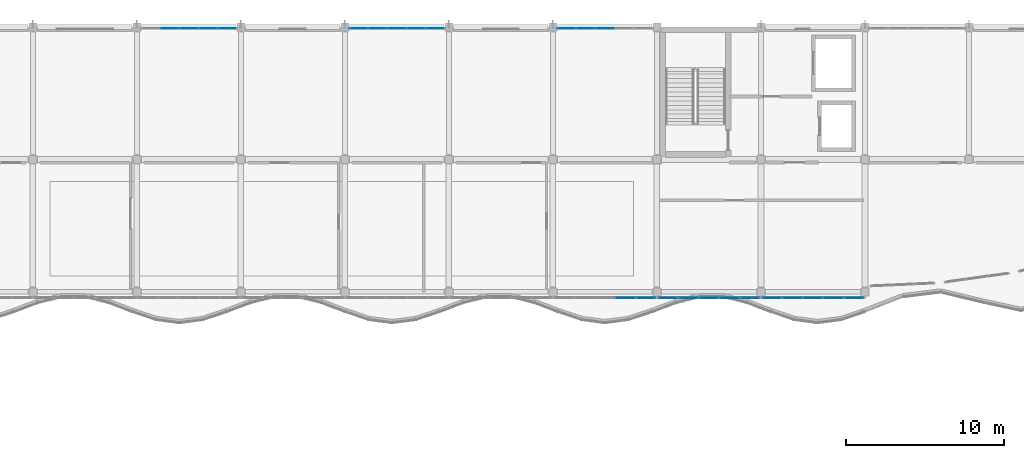
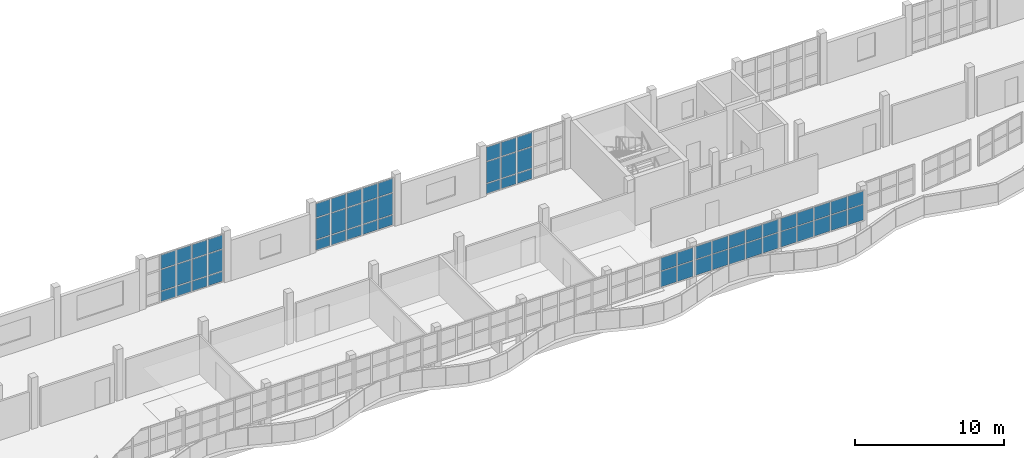
# One storey, part 47 of 78: 60 plates, 6 elements without a shape of their own.
"""IFC4 building model written with IfcOpenShell, lengths in metres."""

from ifc_helpers import new_model, si_unit, direction, frame, origin, origin_2d, place, context, subcontext, project, spatial, rectangle, extrude, material, layer, layer_set, type_object, element, aggregate, save


model = new_model("IFC4")

# Units and contexts
model_context = context("Model", 3, precision=1e-05, world=origin(), true_north=direction((0.0, 1.0)))
body_context = subcontext(model_context, "Body", "Model", "MODEL_VIEW")
ifc_project = project(units=[si_unit("LENGTHUNIT", "METRE"), si_unit("AREAUNIT", "SQUARE_METRE"), si_unit("VOLUMEUNIT", "CUBIC_METRE"), si_unit("PLANEANGLEUNIT", "RADIAN"), si_unit("MASSUNIT", "GRAM", prefix="KILO")], contexts=[model_context])

# Site, building, storey
site_placement = place(None, origin())
site = spatial("IfcSite", under=ifc_project, at=site_placement, CompositionType="ELEMENT")
building_placement = place(site_placement, origin())
building = spatial("IfcBuilding", under=site, at=building_placement, Name="Qaldarim Faculty of Natural and Applied Sciences", CompositionType="ELEMENT")
storey_placement = place(building_placement, frame((0.0, 0.0, 18.60009765625)))
storey = spatial("IfcBuildingStorey", under=building, at=storey_placement, Name="L04", CompositionType="ELEMENT", Elevation=18.60009765625)

# Curtain wall, plates
ifc_material_1 = material(Name="Anodised aluminium AW-6063", Category="aluminium")
curtain_wall_type_1 = type_object("IfcCurtainWallType", Name="CurtainWallSystem-M1200", PredefinedType="USERDEFINED", material=ifc_material_1)
curtain_wall_1_placement = place(storey_placement, origin())
curtain_wall_1 = element("IfcCurtainWall", 1, at=curtain_wall_1_placement, inside=storey, type_object=curtain_wall_type_1, Name="Curtain wall CW-L04-N-X11Y14", ObjectType="STICK CURTAIN WALL", PredefinedType="USERDEFINED")
ifc_material_2 = material(Name="Insulated low-e double glazing", Category="glass")
ifc_layer_1 = layer(ifc_material_2, 0.031982421875)
ifc_layer_set_1 = layer_set([ifc_layer_1], Name="Insulated low-e double glazing")
plate_type_1 = type_object("IfcPlateType", Name="SolarControlGlazingPanel-32", PredefinedType="CURTAIN_PANEL", material=ifc_layer_set_1)
plate_1_placement = place(storey_placement, frame((71.7265625, 117.52001953125, 0.06982421875), z_axis=(0.0, 0.0, 1.0), x_axis=(-1.0, 0.0, 0.0)))
plate_1 = element("IfcPlate", 2, at=plate_1_placement, type_object=plate_type_1, Name="Glazed panel 1-1 of CW-L04-N-X11Y14", PredefinedType="CURTAIN_PANEL", context=body_context, shape_type="SweptSolid", body=[
    extrude(rectangle(XDim=1.116943359375, YDim=0.031982421875, at=origin_2d()), origin(), (0.0, 0.0, 1.0), 0.794921875),
])
plate_2_placement = place(storey_placement, frame((71.7265625, 117.52001953125, 0.934814453125), z_axis=(0.0, 0.0, 1.0), x_axis=(-1.0, 0.0, 0.0)))
plate_2 = element("IfcPlate", 3, at=plate_2_placement, type_object=plate_type_1, Name="Glazed panel 1-2 of CW-L04-N-X11Y14", PredefinedType="CURTAIN_PANEL", context=body_context, shape_type="SweptSolid", body=[
    extrude(rectangle(XDim=1.116943359375, YDim=0.031982421875, at=origin_2d()), origin(), (0.0, 0.0, 1.0), 1.72998046875),
])
plate_3_placement = place(storey_placement, frame((71.7265625, 117.52001953125, 2.73486328125), z_axis=(0.0, 0.0, 1.0), x_axis=(-1.0, 0.0, 0.0)))
plate_3 = element("IfcPlate", 4, at=plate_3_placement, type_object=plate_type_1, Name="Glazed panel 1-3 of CW-L04-N-X11Y14", PredefinedType="CURTAIN_PANEL", context=body_context, shape_type="SweptSolid", body=[
    extrude(rectangle(XDim=1.116943359375, YDim=0.031982421875, at=origin_2d()), origin(), (0.0, 0.0, 1.0), 1.135009765625),
])
plate_4_placement = place(storey_placement, frame((70.52197265625, 117.52001953125, 0.06982421875), z_axis=(0.0, 0.0, 1.0), x_axis=(-1.0, 0.0, 0.0)))
plate_4 = element("IfcPlate", 5, at=plate_4_placement, type_object=plate_type_1, Name="Glazed panel 2-1 of CW-L04-N-X11Y14", PredefinedType="CURTAIN_PANEL", context=body_context, shape_type="SweptSolid", body=[
    extrude(rectangle(XDim=1.152099609375, YDim=0.031982421875, at=origin_2d()), origin(), (0.0, 0.0, 1.0), 0.794921875),
])
plate_5_placement = place(storey_placement, frame((70.52197265625, 117.52001953125, 0.934814453125), z_axis=(0.0, 0.0, 1.0), x_axis=(-1.0, 0.0, 0.0)))
plate_5 = element("IfcPlate", 6, at=plate_5_placement, type_object=plate_type_1, Name="Glazed panel 2-2 of CW-L04-N-X11Y14", PredefinedType="CURTAIN_PANEL", context=body_context, shape_type="SweptSolid", body=[
    extrude(rectangle(XDim=1.152099609375, YDim=0.031982421875, at=origin_2d()), origin(), (0.0, 0.0, 1.0), 1.72998046875),
])
plate_6_placement = place(storey_placement, frame((70.52197265625, 117.52001953125, 2.73486328125), z_axis=(0.0, 0.0, 1.0), x_axis=(-1.0, 0.0, 0.0)))
plate_6 = element("IfcPlate", 7, at=plate_6_placement, type_object=plate_type_1, Name="Glazed panel 2-3 of CW-L04-N-X11Y14", PredefinedType="CURTAIN_PANEL", context=body_context, shape_type="SweptSolid", body=[
    extrude(rectangle(XDim=1.152099609375, YDim=0.031982421875, at=origin_2d()), origin(), (0.0, 0.0, 1.0), 1.135009765625),
])
plate_7_placement = place(storey_placement, frame((69.300048828125, 117.52001953125, 0.06982421875), z_axis=(0.0, 0.0, 1.0), x_axis=(-1.0, 0.0, 0.0)))
plate_7 = element("IfcPlate", 8, at=plate_7_placement, type_object=plate_type_1, Name="Glazed panel 3-1 of CW-L04-N-X11Y14", PredefinedType="CURTAIN_PANEL", context=body_context, shape_type="SweptSolid", body=[
    extrude(rectangle(XDim=1.152099609375, YDim=0.031982421875, at=origin_2d()), origin(), (0.0, 0.0, 1.0), 0.794921875),
])
plate_8_placement = place(storey_placement, frame((69.300048828125, 117.52001953125, 0.934814453125), z_axis=(0.0, 0.0, 1.0), x_axis=(-1.0, 0.0, 0.0)))
plate_8 = element("IfcPlate", 9, at=plate_8_placement, type_object=plate_type_1, Name="Glazed panel 3-2 of CW-L04-N-X11Y14", PredefinedType="CURTAIN_PANEL", context=body_context, shape_type="SweptSolid", body=[
    extrude(rectangle(XDim=1.152099609375, YDim=0.031982421875, at=origin_2d()), origin(), (0.0, 0.0, 1.0), 1.72998046875),
])
plate_9_placement = place(storey_placement, frame((69.300048828125, 117.52001953125, 2.73486328125), z_axis=(0.0, 0.0, 1.0), x_axis=(-1.0, 0.0, 0.0)))
plate_9 = element("IfcPlate", 10, at=plate_9_placement, type_object=plate_type_1, Name="Glazed panel 3-3 of CW-L04-N-X11Y14", PredefinedType="CURTAIN_PANEL", context=body_context, shape_type="SweptSolid", body=[
    extrude(rectangle(XDim=1.152099609375, YDim=0.031982421875, at=origin_2d()), origin(), (0.0, 0.0, 1.0), 1.135009765625),
])
plate_10_placement = place(storey_placement, frame((68.077880859375, 117.52001953125, 0.06982421875), z_axis=(0.0, 0.0, 1.0), x_axis=(-1.0, 0.0, 0.0)))
plate_10 = element("IfcPlate", 11, at=plate_10_placement, type_object=plate_type_1, Name="Glazed panel 4-1 of CW-L04-N-X11Y14", PredefinedType="CURTAIN_PANEL", context=body_context, shape_type="SweptSolid", body=[
    extrude(rectangle(XDim=1.152099609375, YDim=0.031982421875, at=origin_2d()), origin(), (0.0, 0.0, 1.0), 0.794921875),
])
plate_11_placement = place(storey_placement, frame((68.077880859375, 117.52001953125, 0.934814453125), z_axis=(0.0, 0.0, 1.0), x_axis=(-1.0, 0.0, 0.0)))
plate_11 = element("IfcPlate", 12, at=plate_11_placement, type_object=plate_type_1, Name="Glazed panel 4-2 of CW-L04-N-X11Y14", PredefinedType="CURTAIN_PANEL", context=body_context, shape_type="SweptSolid", body=[
    extrude(rectangle(XDim=1.152099609375, YDim=0.031982421875, at=origin_2d()), origin(), (0.0, 0.0, 1.0), 1.72998046875),
])
plate_12_placement = place(storey_placement, frame((68.077880859375, 117.52001953125, 2.73486328125), z_axis=(0.0, 0.0, 1.0), x_axis=(-1.0, 0.0, 0.0)))
plate_12 = element("IfcPlate", 13, at=plate_12_placement, type_object=plate_type_1, Name="Glazed panel 4-3 of CW-L04-N-X11Y14", PredefinedType="CURTAIN_PANEL", context=body_context, shape_type="SweptSolid", body=[
    extrude(rectangle(XDim=1.152099609375, YDim=0.031982421875, at=origin_2d()), origin(), (0.0, 0.0, 1.0), 1.135009765625),
])
aggregate(curtain_wall_1, [plate_1, plate_2, plate_3, plate_4, plate_5, plate_6, plate_7, plate_8, plate_9, plate_10, plate_11, plate_12])

curtain_wall_2_placement = place(storey_placement, origin())
curtain_wall_2 = element("IfcCurtainWall", 14, at=curtain_wall_2_placement, inside=storey, type_object=curtain_wall_type_1, Name="Curtain wall CW-L04-N-X13Y14", ObjectType="STICK CURTAIN WALL", PredefinedType="USERDEFINED")
plate_13_placement = place(storey_placement, frame((84.926513671875, 117.52001953125, 0.06982421875), z_axis=(0.0, 0.0, 1.0), x_axis=(-1.0, 0.0, 0.0)))
plate_13 = element("IfcPlate", 15, at=plate_13_placement, type_object=plate_type_1, Name="Glazed panel 1-1 of CW-L04-N-X13Y14", PredefinedType="CURTAIN_PANEL", context=body_context, shape_type="SweptSolid", body=[
    extrude(rectangle(XDim=1.116943359375, YDim=0.031982421875, at=origin_2d()), origin(), (0.0, 0.0, 1.0), 0.794921875),
])
plate_14_placement = place(storey_placement, frame((84.926513671875, 117.52001953125, 0.934814453125), z_axis=(0.0, 0.0, 1.0), x_axis=(-1.0, 0.0, 0.0)))
plate_14 = element("IfcPlate", 16, at=plate_14_placement, type_object=plate_type_1, Name="Glazed panel 1-2 of CW-L04-N-X13Y14", PredefinedType="CURTAIN_PANEL", context=body_context, shape_type="SweptSolid", body=[
    extrude(rectangle(XDim=1.116943359375, YDim=0.031982421875, at=origin_2d()), origin(), (0.0, 0.0, 1.0), 1.72998046875),
])
plate_15_placement = place(storey_placement, frame((84.926513671875, 117.52001953125, 2.73486328125), z_axis=(0.0, 0.0, 1.0), x_axis=(-1.0, 0.0, 0.0)))
plate_15 = element("IfcPlate", 17, at=plate_15_placement, type_object=plate_type_1, Name="Glazed panel 1-3 of CW-L04-N-X13Y14", PredefinedType="CURTAIN_PANEL", context=body_context, shape_type="SweptSolid", body=[
    extrude(rectangle(XDim=1.116943359375, YDim=0.031982421875, at=origin_2d()), origin(), (0.0, 0.0, 1.0), 1.135009765625),
])
plate_16_placement = place(storey_placement, frame((83.721923828125, 117.52001953125, 0.06982421875), z_axis=(0.0, 0.0, 1.0), x_axis=(-1.0, 0.0, 0.0)))
plate_16 = element("IfcPlate", 18, at=plate_16_placement, type_object=plate_type_1, Name="Glazed panel 2-1 of CW-L04-N-X13Y14", PredefinedType="CURTAIN_PANEL", context=body_context, shape_type="SweptSolid", body=[
    extrude(rectangle(XDim=1.152099609375, YDim=0.031982421875, at=origin_2d()), origin(), (0.0, 0.0, 1.0), 0.794921875),
])
plate_17_placement = place(storey_placement, frame((83.721923828125, 117.52001953125, 0.934814453125), z_axis=(0.0, 0.0, 1.0), x_axis=(-1.0, 0.0, 0.0)))
plate_17 = element("IfcPlate", 19, at=plate_17_placement, type_object=plate_type_1, Name="Glazed panel 2-2 of CW-L04-N-X13Y14", PredefinedType="CURTAIN_PANEL", context=body_context, shape_type="SweptSolid", body=[
    extrude(rectangle(XDim=1.152099609375, YDim=0.031982421875, at=origin_2d()), origin(), (0.0, 0.0, 1.0), 1.72998046875),
])
plate_18_placement = place(storey_placement, frame((83.721923828125, 117.52001953125, 2.73486328125), z_axis=(0.0, 0.0, 1.0), x_axis=(-1.0, 0.0, 0.0)))
plate_18 = element("IfcPlate", 20, at=plate_18_placement, type_object=plate_type_1, Name="Glazed panel 2-3 of CW-L04-N-X13Y14", PredefinedType="CURTAIN_PANEL", context=body_context, shape_type="SweptSolid", body=[
    extrude(rectangle(XDim=1.152099609375, YDim=0.031982421875, at=origin_2d()), origin(), (0.0, 0.0, 1.0), 1.135009765625),
])
plate_19_placement = place(storey_placement, frame((82.5, 117.52001953125, 0.06982421875), z_axis=(0.0, 0.0, 1.0), x_axis=(-1.0, 0.0, 0.0)))
plate_19 = element("IfcPlate", 21, at=plate_19_placement, type_object=plate_type_1, Name="Glazed panel 3-1 of CW-L04-N-X13Y14", PredefinedType="CURTAIN_PANEL", context=body_context, shape_type="SweptSolid", body=[
    extrude(rectangle(XDim=1.152099609375, YDim=0.031982421875, at=origin_2d()), origin(), (0.0, 0.0, 1.0), 0.794921875),
])
plate_20_placement = place(storey_placement, frame((82.5, 117.52001953125, 0.934814453125), z_axis=(0.0, 0.0, 1.0), x_axis=(-1.0, 0.0, 0.0)))
plate_20 = element("IfcPlate", 22, at=plate_20_placement, type_object=plate_type_1, Name="Glazed panel 3-2 of CW-L04-N-X13Y14", PredefinedType="CURTAIN_PANEL", context=body_context, shape_type="SweptSolid", body=[
    extrude(rectangle(XDim=1.152099609375, YDim=0.031982421875, at=origin_2d()), origin(), (0.0, 0.0, 1.0), 1.72998046875),
])
plate_21_placement = place(storey_placement, frame((82.5, 117.52001953125, 2.73486328125), z_axis=(0.0, 0.0, 1.0), x_axis=(-1.0, 0.0, 0.0)))
plate_21 = element("IfcPlate", 23, at=plate_21_placement, type_object=plate_type_1, Name="Glazed panel 3-3 of CW-L04-N-X13Y14", PredefinedType="CURTAIN_PANEL", context=body_context, shape_type="SweptSolid", body=[
    extrude(rectangle(XDim=1.152099609375, YDim=0.031982421875, at=origin_2d()), origin(), (0.0, 0.0, 1.0), 1.135009765625),
])
plate_22_placement = place(storey_placement, frame((81.278076171875, 117.52001953125, 0.06982421875), z_axis=(0.0, 0.0, 1.0), x_axis=(-1.0, 0.0, 0.0)))
plate_22 = element("IfcPlate", 24, at=plate_22_placement, type_object=plate_type_1, Name="Glazed panel 4-1 of CW-L04-N-X13Y14", PredefinedType="CURTAIN_PANEL", context=body_context, shape_type="SweptSolid", body=[
    extrude(rectangle(XDim=1.152099609375, YDim=0.031982421875, at=origin_2d()), origin(), (0.0, 0.0, 1.0), 0.794921875),
])
plate_23_placement = place(storey_placement, frame((81.278076171875, 117.52001953125, 0.934814453125), z_axis=(0.0, 0.0, 1.0), x_axis=(-1.0, 0.0, 0.0)))
plate_23 = element("IfcPlate", 25, at=plate_23_placement, type_object=plate_type_1, Name="Glazed panel 4-2 of CW-L04-N-X13Y14", PredefinedType="CURTAIN_PANEL", context=body_context, shape_type="SweptSolid", body=[
    extrude(rectangle(XDim=1.152099609375, YDim=0.031982421875, at=origin_2d()), origin(), (0.0, 0.0, 1.0), 1.72998046875),
])
plate_24_placement = place(storey_placement, frame((81.278076171875, 117.52001953125, 2.73486328125), z_axis=(0.0, 0.0, 1.0), x_axis=(-1.0, 0.0, 0.0)))
plate_24 = element("IfcPlate", 26, at=plate_24_placement, type_object=plate_type_1, Name="Glazed panel 4-3 of CW-L04-N-X13Y14", PredefinedType="CURTAIN_PANEL", context=body_context, shape_type="SweptSolid", body=[
    extrude(rectangle(XDim=1.152099609375, YDim=0.031982421875, at=origin_2d()), origin(), (0.0, 0.0, 1.0), 1.135009765625),
])
plate_25_placement = place(storey_placement, frame((80.073486328125, 117.52001953125, 0.06982421875), z_axis=(0.0, 0.0, 1.0), x_axis=(-1.0, 0.0, 0.0)))
plate_25 = element("IfcPlate", 27, at=plate_25_placement, type_object=plate_type_1, Name="Glazed panel 5-1 of CW-L04-N-X13Y14", PredefinedType="CURTAIN_PANEL", context=body_context, shape_type="SweptSolid", body=[
    extrude(rectangle(XDim=1.116943359375, YDim=0.031982421875, at=origin_2d()), origin(), (0.0, 0.0, 1.0), 0.794921875),
])
plate_26_placement = place(storey_placement, frame((80.073486328125, 117.52001953125, 0.934814453125), z_axis=(0.0, 0.0, 1.0), x_axis=(-1.0, 0.0, 0.0)))
plate_26 = element("IfcPlate", 28, at=plate_26_placement, type_object=plate_type_1, Name="Glazed panel 5-2 of CW-L04-N-X13Y14", PredefinedType="CURTAIN_PANEL", context=body_context, shape_type="SweptSolid", body=[
    extrude(rectangle(XDim=1.116943359375, YDim=0.031982421875, at=origin_2d()), origin(), (0.0, 0.0, 1.0), 1.72998046875),
])
plate_27_placement = place(storey_placement, frame((80.073486328125, 117.52001953125, 2.73486328125), z_axis=(0.0, 0.0, 1.0), x_axis=(-1.0, 0.0, 0.0)))
plate_27 = element("IfcPlate", 29, at=plate_27_placement, type_object=plate_type_1, Name="Glazed panel 5-3 of CW-L04-N-X13Y14", PredefinedType="CURTAIN_PANEL", context=body_context, shape_type="SweptSolid", body=[
    extrude(rectangle(XDim=1.116943359375, YDim=0.031982421875, at=origin_2d()), origin(), (0.0, 0.0, 1.0), 1.135009765625),
])
aggregate(curtain_wall_2, [plate_13, plate_14, plate_15, plate_16, plate_17, plate_18, plate_19, plate_20, plate_21, plate_22, plate_23, plate_24, plate_25, plate_26, plate_27])

curtain_wall_3_placement = place(storey_placement, origin())
curtain_wall_3 = element("IfcCurtainWall", 30, at=curtain_wall_3_placement, inside=storey, type_object=curtain_wall_type_1, Name="Curtain wall CW-L04-N-X15Y14", ObjectType="STICK CURTAIN WALL", PredefinedType="USERDEFINED")
plate_28_placement = place(storey_placement, frame((95.699951171875, 117.52001953125, 0.06982421875), z_axis=(0.0, 0.0, 1.0), x_axis=(-1.0, 0.0, 0.0)))
plate_28 = element("IfcPlate", 31, at=plate_28_placement, type_object=plate_type_1, Name="Glazed panel 3-1 of CW-L04-N-X15Y14", PredefinedType="CURTAIN_PANEL", context=body_context, shape_type="SweptSolid", body=[
    extrude(rectangle(XDim=1.152099609375, YDim=0.031982421875, at=origin_2d()), origin(), (0.0, 0.0, 1.0), 0.794921875),
])
plate_29_placement = place(storey_placement, frame((95.699951171875, 117.52001953125, 0.934814453125), z_axis=(0.0, 0.0, 1.0), x_axis=(-1.0, 0.0, 0.0)))
plate_29 = element("IfcPlate", 32, at=plate_29_placement, type_object=plate_type_1, Name="Glazed panel 3-2 of CW-L04-N-X15Y14", PredefinedType="CURTAIN_PANEL", context=body_context, shape_type="SweptSolid", body=[
    extrude(rectangle(XDim=1.152099609375, YDim=0.031982421875, at=origin_2d()), origin(), (0.0, 0.0, 1.0), 1.72998046875),
])
plate_30_placement = place(storey_placement, frame((95.699951171875, 117.52001953125, 2.73486328125), z_axis=(0.0, 0.0, 1.0), x_axis=(-1.0, 0.0, 0.0)))
plate_30 = element("IfcPlate", 33, at=plate_30_placement, type_object=plate_type_1, Name="Glazed panel 3-3 of CW-L04-N-X15Y14", PredefinedType="CURTAIN_PANEL", context=body_context, shape_type="SweptSolid", body=[
    extrude(rectangle(XDim=1.152099609375, YDim=0.031982421875, at=origin_2d()), origin(), (0.0, 0.0, 1.0), 1.135009765625),
])
plate_31_placement = place(storey_placement, frame((94.47802734375, 117.52001953125, 0.06982421875), z_axis=(0.0, 0.0, 1.0), x_axis=(-1.0, 0.0, 0.0)))
plate_31 = element("IfcPlate", 34, at=plate_31_placement, type_object=plate_type_1, Name="Glazed panel 4-1 of CW-L04-N-X15Y14", PredefinedType="CURTAIN_PANEL", context=body_context, shape_type="SweptSolid", body=[
    extrude(rectangle(XDim=1.152099609375, YDim=0.031982421875, at=origin_2d()), origin(), (0.0, 0.0, 1.0), 0.794921875),
])
plate_32_placement = place(storey_placement, frame((94.47802734375, 117.52001953125, 0.934814453125), z_axis=(0.0, 0.0, 1.0), x_axis=(-1.0, 0.0, 0.0)))
plate_32 = element("IfcPlate", 35, at=plate_32_placement, type_object=plate_type_1, Name="Glazed panel 4-2 of CW-L04-N-X15Y14", PredefinedType="CURTAIN_PANEL", context=body_context, shape_type="SweptSolid", body=[
    extrude(rectangle(XDim=1.152099609375, YDim=0.031982421875, at=origin_2d()), origin(), (0.0, 0.0, 1.0), 1.72998046875),
])
plate_33_placement = place(storey_placement, frame((94.47802734375, 117.52001953125, 2.73486328125), z_axis=(0.0, 0.0, 1.0), x_axis=(-1.0, 0.0, 0.0)))
plate_33 = element("IfcPlate", 36, at=plate_33_placement, type_object=plate_type_1, Name="Glazed panel 4-3 of CW-L04-N-X15Y14", PredefinedType="CURTAIN_PANEL", context=body_context, shape_type="SweptSolid", body=[
    extrude(rectangle(XDim=1.152099609375, YDim=0.031982421875, at=origin_2d()), origin(), (0.0, 0.0, 1.0), 1.135009765625),
])
plate_34_placement = place(storey_placement, frame((93.2734375, 117.52001953125, 0.06982421875), z_axis=(0.0, 0.0, 1.0), x_axis=(-1.0, 0.0, 0.0)))
plate_34 = element("IfcPlate", 37, at=plate_34_placement, type_object=plate_type_1, Name="Glazed panel 5-1 of CW-L04-N-X15Y14", PredefinedType="CURTAIN_PANEL", context=body_context, shape_type="SweptSolid", body=[
    extrude(rectangle(XDim=1.116943359375, YDim=0.031982421875, at=origin_2d()), origin(), (0.0, 0.0, 1.0), 0.794921875),
])
plate_35_placement = place(storey_placement, frame((93.2734375, 117.52001953125, 0.934814453125), z_axis=(0.0, 0.0, 1.0), x_axis=(-1.0, 0.0, 0.0)))
plate_35 = element("IfcPlate", 38, at=plate_35_placement, type_object=plate_type_1, Name="Glazed panel 5-2 of CW-L04-N-X15Y14", PredefinedType="CURTAIN_PANEL", context=body_context, shape_type="SweptSolid", body=[
    extrude(rectangle(XDim=1.116943359375, YDim=0.031982421875, at=origin_2d()), origin(), (0.0, 0.0, 1.0), 1.72998046875),
])
plate_36_placement = place(storey_placement, frame((93.2734375, 117.52001953125, 2.73486328125), z_axis=(0.0, 0.0, 1.0), x_axis=(-1.0, 0.0, 0.0)))
plate_36 = element("IfcPlate", 39, at=plate_36_placement, type_object=plate_type_1, Name="Glazed panel 5-3 of CW-L04-N-X15Y14", PredefinedType="CURTAIN_PANEL", context=body_context, shape_type="SweptSolid", body=[
    extrude(rectangle(XDim=1.116943359375, YDim=0.031982421875, at=origin_2d()), origin(), (0.0, 0.0, 1.0), 1.135009765625),
])
aggregate(curtain_wall_3, [plate_28, plate_29, plate_30, plate_31, plate_32, plate_33, plate_34, plate_35, plate_36])

curtain_wall_type_2 = type_object("IfcCurtainWallType", Name="CurtainWallSystem-M1400", PredefinedType="USERDEFINED", material=ifc_material_1)
curtain_wall_4_placement = place(storey_placement, origin())
curtain_wall_4 = element("IfcCurtainWall", 40, at=curtain_wall_4_placement, inside=storey, type_object=curtain_wall_type_2, Name="Curtain wall CW-V4RIB-L04-X15", ObjectType="STICK CURTAIN WALL", PredefinedType="USERDEFINED")
ifc_layer_2 = layer(ifc_material_2, 0.028076171875)
ifc_layer_set_2 = layer_set([ifc_layer_2], Name="Insulated low-e double glazing")
plate_type_2 = type_object("IfcPlateType", Name="VisionGlazingPanel-28", PredefinedType="CURTAIN_PANEL", material=ifc_layer_set_2)
plate_37_placement = place(storey_placement, frame((97.00390625, 100.419921875, 1.509765625), z_axis=(0.0, 0.0, 1.0), x_axis=(1.0, 0.0, 0.0)))
plate_37 = element("IfcPlate", 41, at=plate_37_placement, type_object=plate_type_2, Name="Glazed panel 4-1 of CW-V4RIB-L04-X15", PredefinedType="CURTAIN_PANEL", context=body_context, shape_type="SweptSolid", body=[
    extrude(rectangle(XDim=1.243896484375, YDim=0.028076171875, at=origin_2d()), origin(), (0.0, 0.0, 1.0), 1.260009765625),
])
plate_38_placement = place(storey_placement, frame((97.00390625, 100.419921875, 2.830078125), z_axis=(0.0, 0.0, 1.0), x_axis=(1.0, 0.0, 0.0)))
plate_38 = element("IfcPlate", 42, at=plate_38_placement, type_object=plate_type_2, Name="Glazed panel 4-2 of CW-V4RIB-L04-X15", PredefinedType="CURTAIN_PANEL", context=body_context, shape_type="SweptSolid", body=[
    extrude(rectangle(XDim=1.243896484375, YDim=0.028076171875, at=origin_2d()), origin(), (0.0, 0.0, 1.0), 1.050048828125),
])
plate_39_placement = place(storey_placement, frame((98.29296875, 100.419921875, 1.509765625), z_axis=(0.0, 0.0, 1.0), x_axis=(1.0, 0.0, 0.0)))
plate_39 = element("IfcPlate", 43, at=plate_39_placement, type_object=plate_type_2, Name="Glazed panel 5-1 of CW-V4RIB-L04-X15", PredefinedType="CURTAIN_PANEL", context=body_context, shape_type="SweptSolid", body=[
    extrude(rectangle(XDim=1.214111328125, YDim=0.028076171875, at=origin_2d()), origin(), (0.0, 0.0, 1.0), 1.260009765625),
])
plate_40_placement = place(storey_placement, frame((98.29296875, 100.419921875, 2.830078125), z_axis=(0.0, 0.0, 1.0), x_axis=(1.0, 0.0, 0.0)))
plate_40 = element("IfcPlate", 44, at=plate_40_placement, type_object=plate_type_2, Name="Glazed panel 5-2 of CW-V4RIB-L04-X15", PredefinedType="CURTAIN_PANEL", context=body_context, shape_type="SweptSolid", body=[
    extrude(rectangle(XDim=1.214111328125, YDim=0.028076171875, at=origin_2d()), origin(), (0.0, 0.0, 1.0), 1.050048828125),
])
aggregate(curtain_wall_4, [plate_37, plate_38, plate_39, plate_40])

curtain_wall_5_placement = place(storey_placement, origin())
curtain_wall_5 = element("IfcCurtainWall", 45, at=curtain_wall_5_placement, inside=storey, type_object=curtain_wall_type_2, Name="Curtain wall CW-V4RIB-L04-X16", ObjectType="STICK CURTAIN WALL", PredefinedType="USERDEFINED")
plate_41_placement = place(storey_placement, frame((99.70703125, 100.419921875, 1.509765625), z_axis=(0.0, 0.0, 1.0), x_axis=(1.0, 0.0, 0.0)))
plate_41 = element("IfcPlate", 46, at=plate_41_placement, type_object=plate_type_2, Name="Glazed panel 1-1 of CW-V4RIB-L04-X16", PredefinedType="CURTAIN_PANEL", context=body_context, shape_type="SweptSolid", body=[
    extrude(rectangle(XDim=1.214111328125, YDim=0.028076171875, at=origin_2d()), origin(), (0.0, 0.0, 1.0), 1.260009765625),
])
plate_42_placement = place(storey_placement, frame((99.70703125, 100.419921875, 2.830078125), z_axis=(0.0, 0.0, 1.0), x_axis=(1.0, 0.0, 0.0)))
plate_42 = element("IfcPlate", 47, at=plate_42_placement, type_object=plate_type_2, Name="Glazed panel 1-2 of CW-V4RIB-L04-X16", PredefinedType="CURTAIN_PANEL", context=body_context, shape_type="SweptSolid", body=[
    extrude(rectangle(XDim=1.214111328125, YDim=0.028076171875, at=origin_2d()), origin(), (0.0, 0.0, 1.0), 1.050048828125),
])
plate_43_placement = place(storey_placement, frame((100.99609375, 100.419921875, 1.509765625), z_axis=(0.0, 0.0, 1.0), x_axis=(1.0, 0.0, 0.0)))
plate_43 = element("IfcPlate", 48, at=plate_43_placement, type_object=plate_type_2, Name="Glazed panel 2-1 of CW-V4RIB-L04-X16", PredefinedType="CURTAIN_PANEL", context=body_context, shape_type="SweptSolid", body=[
    extrude(rectangle(XDim=1.243896484375, YDim=0.028076171875, at=origin_2d()), origin(), (0.0, 0.0, 1.0), 1.260009765625),
])
plate_44_placement = place(storey_placement, frame((100.99609375, 100.419921875, 2.830078125), z_axis=(0.0, 0.0, 1.0), x_axis=(1.0, 0.0, 0.0)))
plate_44 = element("IfcPlate", 49, at=plate_44_placement, type_object=plate_type_2, Name="Glazed panel 2-2 of CW-V4RIB-L04-X16", PredefinedType="CURTAIN_PANEL", context=body_context, shape_type="SweptSolid", body=[
    extrude(rectangle(XDim=1.243896484375, YDim=0.028076171875, at=origin_2d()), origin(), (0.0, 0.0, 1.0), 1.050048828125),
])
plate_45_placement = place(storey_placement, frame((102.300048828125, 100.419921875, 1.509765625), z_axis=(0.0, 0.0, 1.0), x_axis=(1.0, 0.0, 0.0)))
plate_45 = element("IfcPlate", 50, at=plate_45_placement, type_object=plate_type_2, Name="Glazed panel 3-1 of CW-V4RIB-L04-X16", PredefinedType="CURTAIN_PANEL", context=body_context, shape_type="SweptSolid", body=[
    extrude(rectangle(XDim=1.243896484375, YDim=0.028076171875, at=origin_2d()), origin(), (0.0, 0.0, 1.0), 1.260009765625),
])
plate_46_placement = place(storey_placement, frame((102.300048828125, 100.419921875, 2.830078125), z_axis=(0.0, 0.0, 1.0), x_axis=(1.0, 0.0, 0.0)))
plate_46 = element("IfcPlate", 51, at=plate_46_placement, type_object=plate_type_2, Name="Glazed panel 3-2 of CW-V4RIB-L04-X16", PredefinedType="CURTAIN_PANEL", context=body_context, shape_type="SweptSolid", body=[
    extrude(rectangle(XDim=1.243896484375, YDim=0.028076171875, at=origin_2d()), origin(), (0.0, 0.0, 1.0), 1.050048828125),
])
plate_47_placement = place(storey_placement, frame((103.60400390625, 100.419921875, 1.509765625), z_axis=(0.0, 0.0, 1.0), x_axis=(1.0, 0.0, 0.0)))
plate_47 = element("IfcPlate", 52, at=plate_47_placement, type_object=plate_type_2, Name="Glazed panel 4-1 of CW-V4RIB-L04-X16", PredefinedType="CURTAIN_PANEL", context=body_context, shape_type="SweptSolid", body=[
    extrude(rectangle(XDim=1.243896484375, YDim=0.028076171875, at=origin_2d()), origin(), (0.0, 0.0, 1.0), 1.260009765625),
])
plate_48_placement = place(storey_placement, frame((103.60400390625, 100.419921875, 2.830078125), z_axis=(0.0, 0.0, 1.0), x_axis=(1.0, 0.0, 0.0)))
plate_48 = element("IfcPlate", 53, at=plate_48_placement, type_object=plate_type_2, Name="Glazed panel 4-2 of CW-V4RIB-L04-X16", PredefinedType="CURTAIN_PANEL", context=body_context, shape_type="SweptSolid", body=[
    extrude(rectangle(XDim=1.243896484375, YDim=0.028076171875, at=origin_2d()), origin(), (0.0, 0.0, 1.0), 1.050048828125),
])
plate_49_placement = place(storey_placement, frame((104.89306640625, 100.419921875, 1.509765625), z_axis=(0.0, 0.0, 1.0), x_axis=(1.0, 0.0, 0.0)))
plate_49 = element("IfcPlate", 54, at=plate_49_placement, type_object=plate_type_2, Name="Glazed panel 5-1 of CW-V4RIB-L04-X16", PredefinedType="CURTAIN_PANEL", context=body_context, shape_type="SweptSolid", body=[
    extrude(rectangle(XDim=1.214111328125, YDim=0.028076171875, at=origin_2d()), origin(), (0.0, 0.0, 1.0), 1.260009765625),
])
plate_50_placement = place(storey_placement, frame((104.89306640625, 100.419921875, 2.830078125), z_axis=(0.0, 0.0, 1.0), x_axis=(1.0, 0.0, 0.0)))
plate_50 = element("IfcPlate", 55, at=plate_50_placement, type_object=plate_type_2, Name="Glazed panel 5-2 of CW-V4RIB-L04-X16", PredefinedType="CURTAIN_PANEL", context=body_context, shape_type="SweptSolid", body=[
    extrude(rectangle(XDim=1.214111328125, YDim=0.028076171875, at=origin_2d()), origin(), (0.0, 0.0, 1.0), 1.050048828125),
])
aggregate(curtain_wall_5, [plate_41, plate_42, plate_43, plate_44, plate_45, plate_46, plate_47, plate_48, plate_49, plate_50])

curtain_wall_6_placement = place(storey_placement, origin())
curtain_wall_6 = element("IfcCurtainWall", 56, at=curtain_wall_6_placement, inside=storey, type_object=curtain_wall_type_2, Name="Curtain wall CW-V4RIB-L04-X17", ObjectType="STICK CURTAIN WALL", PredefinedType="USERDEFINED")
plate_51_placement = place(storey_placement, frame((106.306884765625, 100.419921875, 1.509765625), z_axis=(0.0, 0.0, 1.0), x_axis=(1.0, 0.0, 0.0)))
plate_51 = element("IfcPlate", 57, at=plate_51_placement, type_object=plate_type_2, Name="Glazed panel 1-1 of CW-V4RIB-L04-X17", PredefinedType="CURTAIN_PANEL", context=body_context, shape_type="SweptSolid", body=[
    extrude(rectangle(XDim=1.214111328125, YDim=0.028076171875, at=origin_2d()), origin(), (0.0, 0.0, 1.0), 1.260009765625),
])
plate_52_placement = place(storey_placement, frame((106.306884765625, 100.419921875, 2.830078125), z_axis=(0.0, 0.0, 1.0), x_axis=(1.0, 0.0, 0.0)))
plate_52 = element("IfcPlate", 58, at=plate_52_placement, type_object=plate_type_2, Name="Glazed panel 1-2 of CW-V4RIB-L04-X17", PredefinedType="CURTAIN_PANEL", context=body_context, shape_type="SweptSolid", body=[
    extrude(rectangle(XDim=1.214111328125, YDim=0.028076171875, at=origin_2d()), origin(), (0.0, 0.0, 1.0), 1.050048828125),
])
plate_53_placement = place(storey_placement, frame((107.595947265625, 100.419921875, 1.509765625), z_axis=(0.0, 0.0, 1.0), x_axis=(1.0, 0.0, 0.0)))
plate_53 = element("IfcPlate", 59, at=plate_53_placement, type_object=plate_type_2, Name="Glazed panel 2-1 of CW-V4RIB-L04-X17", PredefinedType="CURTAIN_PANEL", context=body_context, shape_type="SweptSolid", body=[
    extrude(rectangle(XDim=1.243896484375, YDim=0.028076171875, at=origin_2d()), origin(), (0.0, 0.0, 1.0), 1.260009765625),
])
plate_54_placement = place(storey_placement, frame((107.595947265625, 100.419921875, 2.830078125), z_axis=(0.0, 0.0, 1.0), x_axis=(1.0, 0.0, 0.0)))
plate_54 = element("IfcPlate", 60, at=plate_54_placement, type_object=plate_type_2, Name="Glazed panel 2-2 of CW-V4RIB-L04-X17", PredefinedType="CURTAIN_PANEL", context=body_context, shape_type="SweptSolid", body=[
    extrude(rectangle(XDim=1.243896484375, YDim=0.028076171875, at=origin_2d()), origin(), (0.0, 0.0, 1.0), 1.050048828125),
])
plate_55_placement = place(storey_placement, frame((108.89990234375, 100.419921875, 1.509765625), z_axis=(0.0, 0.0, 1.0), x_axis=(1.0, 0.0, 0.0)))
plate_55 = element("IfcPlate", 61, at=plate_55_placement, type_object=plate_type_2, Name="Glazed panel 3-1 of CW-V4RIB-L04-X17", PredefinedType="CURTAIN_PANEL", context=body_context, shape_type="SweptSolid", body=[
    extrude(rectangle(XDim=1.243896484375, YDim=0.028076171875, at=origin_2d()), origin(), (0.0, 0.0, 1.0), 1.260009765625),
])
plate_56_placement = place(storey_placement, frame((108.89990234375, 100.419921875, 2.830078125), z_axis=(0.0, 0.0, 1.0), x_axis=(1.0, 0.0, 0.0)))
plate_56 = element("IfcPlate", 62, at=plate_56_placement, type_object=plate_type_2, Name="Glazed panel 3-2 of CW-V4RIB-L04-X17", PredefinedType="CURTAIN_PANEL", context=body_context, shape_type="SweptSolid", body=[
    extrude(rectangle(XDim=1.243896484375, YDim=0.028076171875, at=origin_2d()), origin(), (0.0, 0.0, 1.0), 1.050048828125),
])
plate_57_placement = place(storey_placement, frame((110.2041015625, 100.419921875, 1.509765625), z_axis=(0.0, 0.0, 1.0), x_axis=(1.0, 0.0, 0.0)))
plate_57 = element("IfcPlate", 63, at=plate_57_placement, type_object=plate_type_2, Name="Glazed panel 4-1 of CW-V4RIB-L04-X17", PredefinedType="CURTAIN_PANEL", context=body_context, shape_type="SweptSolid", body=[
    extrude(rectangle(XDim=1.243896484375, YDim=0.028076171875, at=origin_2d()), origin(), (0.0, 0.0, 1.0), 1.260009765625),
])
plate_58_placement = place(storey_placement, frame((110.2041015625, 100.419921875, 2.830078125), z_axis=(0.0, 0.0, 1.0), x_axis=(1.0, 0.0, 0.0)))
plate_58 = element("IfcPlate", 64, at=plate_58_placement, type_object=plate_type_2, Name="Glazed panel 4-2 of CW-V4RIB-L04-X17", PredefinedType="CURTAIN_PANEL", context=body_context, shape_type="SweptSolid", body=[
    extrude(rectangle(XDim=1.243896484375, YDim=0.028076171875, at=origin_2d()), origin(), (0.0, 0.0, 1.0), 1.050048828125),
])
plate_59_placement = place(storey_placement, frame((111.492919921875, 100.419921875, 1.509765625), z_axis=(0.0, 0.0, 1.0), x_axis=(1.0, 0.0, 0.0)))
plate_59 = element("IfcPlate", 65, at=plate_59_placement, type_object=plate_type_2, Name="Glazed panel 5-1 of CW-V4RIB-L04-X17", PredefinedType="CURTAIN_PANEL", context=body_context, shape_type="SweptSolid", body=[
    extrude(rectangle(XDim=1.214111328125, YDim=0.028076171875, at=origin_2d()), origin(), (0.0, 0.0, 1.0), 1.260009765625),
])
plate_60_placement = place(storey_placement, frame((111.492919921875, 100.419921875, 2.830078125), z_axis=(0.0, 0.0, 1.0), x_axis=(1.0, 0.0, 0.0)))
plate_60 = element("IfcPlate", 66, at=plate_60_placement, type_object=plate_type_2, Name="Glazed panel 5-2 of CW-V4RIB-L04-X17", PredefinedType="CURTAIN_PANEL", context=body_context, shape_type="SweptSolid", body=[
    extrude(rectangle(XDim=1.214111328125, YDim=0.028076171875, at=origin_2d()), origin(), (0.0, 0.0, 1.0), 1.050048828125),
])
aggregate(curtain_wall_6, [plate_51, plate_52, plate_53, plate_54, plate_55, plate_56, plate_57, plate_58, plate_59, plate_60])

save(model, "model.ifc")
